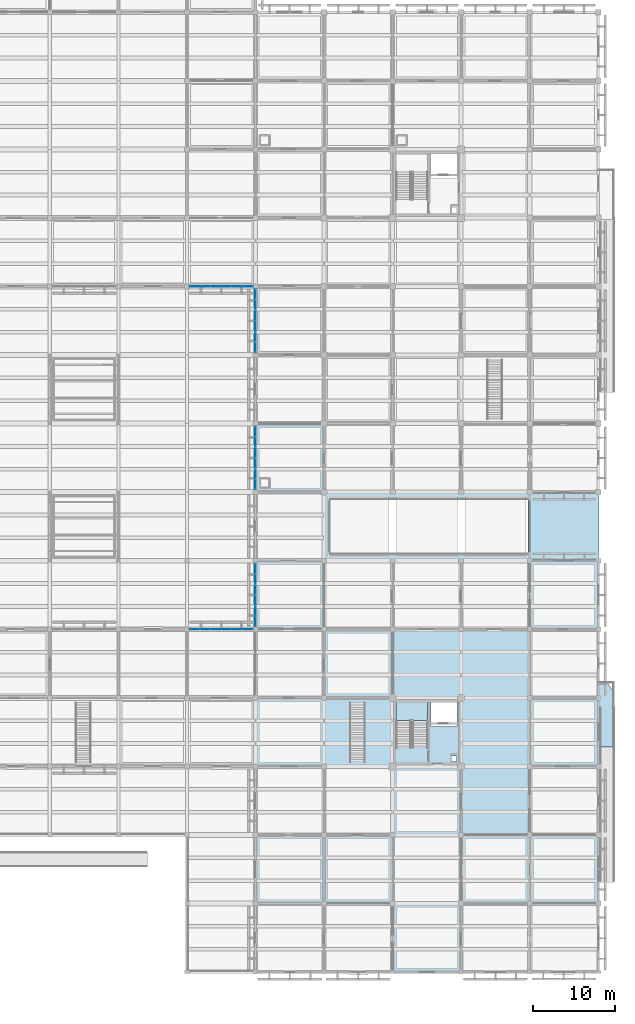
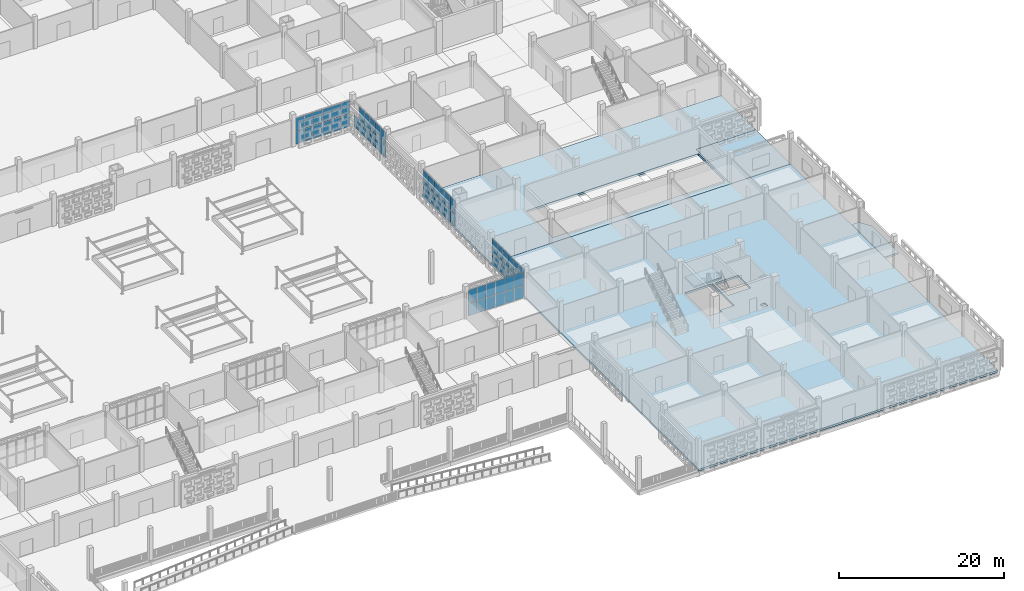
# One storey, part 51 of 129: 59 plates, 5 slabs, 6 elements without a shape of their own.
"""IFC4 building model written with IfcOpenShell, lengths in metres."""

from ifc_helpers import new_model, si_unit, direction, frame, origin, origin_2d, place, context, subcontext, project, spatial, polyline, rectangle, outline, extrude, material, layer, layer_set, type_object, element, aggregate, save


model = new_model("IFC4")

# Units and contexts
model_context = context("Model", 3, precision=1e-05, world=origin(), true_north=direction((0.0, 1.0)))
body_context = subcontext(model_context, "Body", "Model", "MODEL_VIEW")
ifc_project = project(units=[si_unit("LENGTHUNIT", "METRE"), si_unit("AREAUNIT", "SQUARE_METRE"), si_unit("VOLUMEUNIT", "CUBIC_METRE"), si_unit("PLANEANGLEUNIT", "RADIAN"), si_unit("MASSUNIT", "GRAM", prefix="KILO")], contexts=[model_context])

# Site, building, storey
site_placement = place(None, origin())
site = spatial("IfcSite", under=ifc_project, at=site_placement, CompositionType="ELEMENT")
building_placement = place(site_placement, origin())
building = spatial("IfcBuilding", under=site, at=building_placement, Name="Varnapada Polytechnic", CompositionType="ELEMENT")
storey_placement = place(building_placement, origin())
storey = spatial("IfcBuildingStorey", under=building, at=storey_placement, Name="L00", CompositionType="ELEMENT", Elevation=0.0)

# Curtain wall, plates
ifc_material_1 = material(Name="Double low-E laminated glass", Category="glass")
ifc_layer_1 = layer(ifc_material_1, 0.159912109375)
ifc_layer_set_1 = layer_set([ifc_layer_1], Name="Double low-E laminated glass")
curtain_wall_type = type_object("IfcCurtainWallType", Name="Curtain Wall CW-01", PredefinedType="NOTDEFINED", material=ifc_layer_set_1)
curtain_wall_1_placement = place(storey_placement, origin())
curtain_wall_1 = element("IfcCurtainWall", 1, at=curtain_wall_1_placement, inside=storey, type_object=curtain_wall_type, Name="L00 unitised curtain wall CW-01 (14)", PredefinedType="NOTDEFINED")
ifc_layer_2 = layer(ifc_material_1, 0.028076171875)
ifc_layer_set_2 = layer_set([ifc_layer_2], Name="Double low-E laminated glass")
plate_type = type_object("IfcPlateType", Name="Curtain Panel PNL-01", PredefinedType="CURTAIN_PANEL", material=ifc_layer_set_2)
plate_1_placement = place(storey_placement, frame((126.965087890625, 42.0, 0.06005859375), z_axis=(0.0, 0.0, 1.0), x_axis=(1.0, 0.0, 0.0)))
plate_1 = element("IfcPlate", 2, at=plate_1_placement, type_object=plate_type, Name="CW-01 panel 1.1", PredefinedType="CURTAIN_PANEL", context=body_context, shape_type="SweptSolid", body=[
    extrude(rectangle(XDim=1.2099609375, YDim=0.028076171875, at=origin_2d()), origin(), (0.0, 0.0, 1.0), 1.810791015625),
])
plate_2_placement = place(storey_placement, frame((126.965087890625, 42.0, 1.9306640625), z_axis=(0.0, 0.0, 1.0), x_axis=(1.0, 0.0, 0.0)))
plate_2 = element("IfcPlate", 3, at=plate_2_placement, type_object=plate_type, Name="CW-01 panel 1.2", PredefinedType="CURTAIN_PANEL", context=body_context, shape_type="SweptSolid", body=[
    extrude(rectangle(XDim=1.2099609375, YDim=0.028076171875, at=origin_2d()), origin(), (0.0, 0.0, 1.0), 1.96923828125),
])
plate_3_placement = place(storey_placement, frame((128.25, 42.0, 0.06005859375), z_axis=(0.0, 0.0, 1.0), x_axis=(1.0, 0.0, 0.0)))
plate_3 = element("IfcPlate", 4, at=plate_3_placement, type_object=plate_type, Name="CW-01 panel 2.1", PredefinedType="CURTAIN_PANEL", context=body_context, shape_type="SweptSolid", body=[
    extrude(rectangle(XDim=1.239990234375, YDim=0.028076171875, at=origin_2d()), origin(), (0.0, 0.0, 1.0), 1.810791015625),
])
plate_4_placement = place(storey_placement, frame((128.25, 42.0, 1.9306640625), z_axis=(0.0, 0.0, 1.0), x_axis=(1.0, 0.0, 0.0)))
plate_4 = element("IfcPlate", 5, at=plate_4_placement, type_object=plate_type, Name="CW-01 panel 2.2", PredefinedType="CURTAIN_PANEL", context=body_context, shape_type="SweptSolid", body=[
    extrude(rectangle(XDim=1.239990234375, YDim=0.028076171875, at=origin_2d()), origin(), (0.0, 0.0, 1.0), 1.96923828125),
])
plate_5_placement = place(storey_placement, frame((129.550048828125, 42.0, 0.06005859375), z_axis=(0.0, 0.0, 1.0), x_axis=(1.0, 0.0, 0.0)))
plate_5 = element("IfcPlate", 6, at=plate_5_placement, type_object=plate_type, Name="CW-01 panel 3.1", PredefinedType="CURTAIN_PANEL", context=body_context, shape_type="SweptSolid", body=[
    extrude(rectangle(XDim=1.239990234375, YDim=0.028076171875, at=origin_2d()), origin(), (0.0, 0.0, 1.0), 1.810791015625),
])
plate_6_placement = place(storey_placement, frame((129.550048828125, 42.0, 1.9306640625), z_axis=(0.0, 0.0, 1.0), x_axis=(1.0, 0.0, 0.0)))
plate_6 = element("IfcPlate", 7, at=plate_6_placement, type_object=plate_type, Name="CW-01 panel 3.2", PredefinedType="CURTAIN_PANEL", context=body_context, shape_type="SweptSolid", body=[
    extrude(rectangle(XDim=1.239990234375, YDim=0.028076171875, at=origin_2d()), origin(), (0.0, 0.0, 1.0), 1.96923828125),
])
plate_7_placement = place(storey_placement, frame((130.85009765625, 42.0, 0.06005859375), z_axis=(0.0, 0.0, 1.0), x_axis=(1.0, 0.0, 0.0)))
plate_7 = element("IfcPlate", 8, at=plate_7_placement, type_object=plate_type, Name="CW-01 panel 4.1", PredefinedType="CURTAIN_PANEL", context=body_context, shape_type="SweptSolid", body=[
    extrude(rectangle(XDim=1.239990234375, YDim=0.028076171875, at=origin_2d()), origin(), (0.0, 0.0, 1.0), 1.810791015625),
])
plate_8_placement = place(storey_placement, frame((130.85009765625, 42.0, 1.9306640625), z_axis=(0.0, 0.0, 1.0), x_axis=(1.0, 0.0, 0.0)))
plate_8 = element("IfcPlate", 9, at=plate_8_placement, type_object=plate_type, Name="CW-01 panel 4.2", PredefinedType="CURTAIN_PANEL", context=body_context, shape_type="SweptSolid", body=[
    extrude(rectangle(XDim=1.239990234375, YDim=0.028076171875, at=origin_2d()), origin(), (0.0, 0.0, 1.0), 1.96923828125),
])
plate_9_placement = place(storey_placement, frame((132.14990234375, 42.0, 0.06005859375), z_axis=(0.0, 0.0, 1.0), x_axis=(1.0, 0.0, 0.0)))
plate_9 = element("IfcPlate", 10, at=plate_9_placement, type_object=plate_type, Name="CW-01 panel 5.1", PredefinedType="CURTAIN_PANEL", context=body_context, shape_type="SweptSolid", body=[
    extrude(rectangle(XDim=1.239990234375, YDim=0.028076171875, at=origin_2d()), origin(), (0.0, 0.0, 1.0), 1.810791015625),
])
plate_10_placement = place(storey_placement, frame((132.14990234375, 42.0, 1.9306640625), z_axis=(0.0, 0.0, 1.0), x_axis=(1.0, 0.0, 0.0)))
plate_10 = element("IfcPlate", 11, at=plate_10_placement, type_object=plate_type, Name="CW-01 panel 5.2", PredefinedType="CURTAIN_PANEL", context=body_context, shape_type="SweptSolid", body=[
    extrude(rectangle(XDim=1.239990234375, YDim=0.028076171875, at=origin_2d()), origin(), (0.0, 0.0, 1.0), 1.96923828125),
])
plate_11_placement = place(storey_placement, frame((133.43505859375, 42.0, 0.06005859375), z_axis=(0.0, 0.0, 1.0), x_axis=(1.0, 0.0, 0.0)))
plate_11 = element("IfcPlate", 12, at=plate_11_placement, type_object=plate_type, Name="CW-01 panel 6.1", PredefinedType="CURTAIN_PANEL", context=body_context, shape_type="SweptSolid", body=[
    extrude(rectangle(XDim=1.2099609375, YDim=0.028076171875, at=origin_2d()), origin(), (0.0, 0.0, 1.0), 1.810791015625),
])
plate_12_placement = place(storey_placement, frame((133.43505859375, 42.0, 1.9306640625), z_axis=(0.0, 0.0, 1.0), x_axis=(1.0, 0.0, 0.0)))
plate_12 = element("IfcPlate", 13, at=plate_12_placement, type_object=plate_type, Name="CW-01 panel 6.2", PredefinedType="CURTAIN_PANEL", context=body_context, shape_type="SweptSolid", body=[
    extrude(rectangle(XDim=1.2099609375, YDim=0.028076171875, at=origin_2d()), origin(), (0.0, 0.0, 1.0), 1.96923828125),
])
aggregate(curtain_wall_1, [plate_1, plate_2, plate_3, plate_4, plate_5, plate_6, plate_7, plate_8, plate_9, plate_10, plate_11, plate_12])

curtain_wall_2_placement = place(storey_placement, origin())
curtain_wall_2 = element("IfcCurtainWall", 14, at=curtain_wall_2_placement, inside=storey, type_object=curtain_wall_type, Name="L00 unitised curtain wall CW-01 (15)", PredefinedType="NOTDEFINED")
plate_13_placement = place(storey_placement, frame((133.43505859375, 84.0, 0.06005859375), z_axis=(0.0, 0.0, 1.0), x_axis=(-1.0, 0.0, 0.0)))
plate_13 = element("IfcPlate", 15, at=plate_13_placement, type_object=plate_type, Name="CW-01 panel 1.1", PredefinedType="CURTAIN_PANEL", context=body_context, shape_type="SweptSolid", body=[
    extrude(rectangle(XDim=1.2099609375, YDim=0.028076171875, at=origin_2d()), origin(), (0.0, 0.0, 1.0), 1.810791015625),
])
plate_14_placement = place(storey_placement, frame((133.43505859375, 84.0, 1.9306640625), z_axis=(0.0, 0.0, 1.0), x_axis=(-1.0, 0.0, 0.0)))
plate_14 = element("IfcPlate", 16, at=plate_14_placement, type_object=plate_type, Name="CW-01 panel 1.2", PredefinedType="CURTAIN_PANEL", context=body_context, shape_type="SweptSolid", body=[
    extrude(rectangle(XDim=1.2099609375, YDim=0.028076171875, at=origin_2d()), origin(), (0.0, 0.0, 1.0), 1.96923828125),
])
plate_15_placement = place(storey_placement, frame((132.14990234375, 84.0, 0.06005859375), z_axis=(0.0, 0.0, 1.0), x_axis=(-1.0, 0.0, 0.0)))
plate_15 = element("IfcPlate", 17, at=plate_15_placement, type_object=plate_type, Name="CW-01 panel 2.1", PredefinedType="CURTAIN_PANEL", context=body_context, shape_type="SweptSolid", body=[
    extrude(rectangle(XDim=1.239990234375, YDim=0.028076171875, at=origin_2d()), origin(), (0.0, 0.0, 1.0), 1.810791015625),
])
plate_16_placement = place(storey_placement, frame((132.14990234375, 84.0, 1.9306640625), z_axis=(0.0, 0.0, 1.0), x_axis=(-1.0, 0.0, 0.0)))
plate_16 = element("IfcPlate", 18, at=plate_16_placement, type_object=plate_type, Name="CW-01 panel 2.2", PredefinedType="CURTAIN_PANEL", context=body_context, shape_type="SweptSolid", body=[
    extrude(rectangle(XDim=1.239990234375, YDim=0.028076171875, at=origin_2d()), origin(), (0.0, 0.0, 1.0), 1.96923828125),
])
plate_17_placement = place(storey_placement, frame((130.85009765625, 84.0, 0.06005859375), z_axis=(0.0, 0.0, 1.0), x_axis=(-1.0, 0.0, 0.0)))
plate_17 = element("IfcPlate", 19, at=plate_17_placement, type_object=plate_type, Name="CW-01 panel 3.1", PredefinedType="CURTAIN_PANEL", context=body_context, shape_type="SweptSolid", body=[
    extrude(rectangle(XDim=1.239990234375, YDim=0.028076171875, at=origin_2d()), origin(), (0.0, 0.0, 1.0), 1.810791015625),
])
plate_18_placement = place(storey_placement, frame((130.85009765625, 84.0, 1.9306640625), z_axis=(0.0, 0.0, 1.0), x_axis=(-1.0, 0.0, 0.0)))
plate_18 = element("IfcPlate", 20, at=plate_18_placement, type_object=plate_type, Name="CW-01 panel 3.2", PredefinedType="CURTAIN_PANEL", context=body_context, shape_type="SweptSolid", body=[
    extrude(rectangle(XDim=1.239990234375, YDim=0.028076171875, at=origin_2d()), origin(), (0.0, 0.0, 1.0), 1.96923828125),
])
plate_19_placement = place(storey_placement, frame((129.550048828125, 84.0, 0.06005859375), z_axis=(0.0, 0.0, 1.0), x_axis=(-1.0, 0.0, 0.0)))
plate_19 = element("IfcPlate", 21, at=plate_19_placement, type_object=plate_type, Name="CW-01 panel 4.1", PredefinedType="CURTAIN_PANEL", context=body_context, shape_type="SweptSolid", body=[
    extrude(rectangle(XDim=1.239990234375, YDim=0.028076171875, at=origin_2d()), origin(), (0.0, 0.0, 1.0), 1.810791015625),
])
plate_20_placement = place(storey_placement, frame((129.550048828125, 84.0, 1.9306640625), z_axis=(0.0, 0.0, 1.0), x_axis=(-1.0, 0.0, 0.0)))
plate_20 = element("IfcPlate", 22, at=plate_20_placement, type_object=plate_type, Name="CW-01 panel 4.2", PredefinedType="CURTAIN_PANEL", context=body_context, shape_type="SweptSolid", body=[
    extrude(rectangle(XDim=1.239990234375, YDim=0.028076171875, at=origin_2d()), origin(), (0.0, 0.0, 1.0), 1.96923828125),
])
plate_21_placement = place(storey_placement, frame((128.25, 84.0, 0.06005859375), z_axis=(0.0, 0.0, 1.0), x_axis=(-1.0, 0.0, 0.0)))
plate_21 = element("IfcPlate", 23, at=plate_21_placement, type_object=plate_type, Name="CW-01 panel 5.1", PredefinedType="CURTAIN_PANEL", context=body_context, shape_type="SweptSolid", body=[
    extrude(rectangle(XDim=1.239990234375, YDim=0.028076171875, at=origin_2d()), origin(), (0.0, 0.0, 1.0), 1.810791015625),
])
plate_22_placement = place(storey_placement, frame((128.25, 84.0, 1.9306640625), z_axis=(0.0, 0.0, 1.0), x_axis=(-1.0, 0.0, 0.0)))
plate_22 = element("IfcPlate", 24, at=plate_22_placement, type_object=plate_type, Name="CW-01 panel 5.2", PredefinedType="CURTAIN_PANEL", context=body_context, shape_type="SweptSolid", body=[
    extrude(rectangle(XDim=1.239990234375, YDim=0.028076171875, at=origin_2d()), origin(), (0.0, 0.0, 1.0), 1.96923828125),
])
plate_23_placement = place(storey_placement, frame((126.965087890625, 84.0, 0.06005859375), z_axis=(0.0, 0.0, 1.0), x_axis=(-1.0, 0.0, 0.0)))
plate_23 = element("IfcPlate", 25, at=plate_23_placement, type_object=plate_type, Name="CW-01 panel 6.1", PredefinedType="CURTAIN_PANEL", context=body_context, shape_type="SweptSolid", body=[
    extrude(rectangle(XDim=1.2099609375, YDim=0.028076171875, at=origin_2d()), origin(), (0.0, 0.0, 1.0), 1.810791015625),
])
plate_24_placement = place(storey_placement, frame((126.965087890625, 84.0, 1.9306640625), z_axis=(0.0, 0.0, 1.0), x_axis=(-1.0, 0.0, 0.0)))
plate_24 = element("IfcPlate", 26, at=plate_24_placement, type_object=plate_type, Name="CW-01 panel 6.2", PredefinedType="CURTAIN_PANEL", context=body_context, shape_type="SweptSolid", body=[
    extrude(rectangle(XDim=1.2099609375, YDim=0.028076171875, at=origin_2d()), origin(), (0.0, 0.0, 1.0), 1.96923828125),
])
aggregate(curtain_wall_2, [plate_13, plate_14, plate_15, plate_16, plate_17, plate_18, plate_19, plate_20, plate_21, plate_22, plate_23, plate_24])

curtain_wall_3_placement = place(storey_placement, origin())
curtain_wall_3 = element("IfcCurtainWall", 27, at=curtain_wall_3_placement, inside=storey, type_object=curtain_wall_type, Name="L00 unitised curtain wall CW-01 (16)", PredefinedType="NOTDEFINED")
plate_25_placement = place(storey_placement, frame((134.39990234375, 42.965087890625, 0.06005859375), z_axis=(0.0, 0.0, 1.0), x_axis=(0.0, 1.0, 0.0)))
plate_25 = element("IfcPlate", 28, at=plate_25_placement, type_object=plate_type, Name="CW-01 panel 1.1", PredefinedType="CURTAIN_PANEL", context=body_context, shape_type="SweptSolid", body=[
    extrude(rectangle(XDim=1.2099609375, YDim=0.028076171875, at=origin_2d()), origin(), (0.0, 0.0, 1.0), 1.810791015625),
])
plate_26_placement = place(storey_placement, frame((134.39990234375, 42.965087890625, 1.9306640625), z_axis=(0.0, 0.0, 1.0), x_axis=(0.0, 1.0, 0.0)))
plate_26 = element("IfcPlate", 29, at=plate_26_placement, type_object=plate_type, Name="CW-01 panel 1.2", PredefinedType="CURTAIN_PANEL", context=body_context, shape_type="SweptSolid", body=[
    extrude(rectangle(XDim=1.2099609375, YDim=0.028076171875, at=origin_2d()), origin(), (0.0, 0.0, 1.0), 1.96923828125),
])
plate_27_placement = place(storey_placement, frame((134.39990234375, 44.25, 0.06005859375), z_axis=(0.0, 0.0, 1.0), x_axis=(0.0, 1.0, 0.0)))
plate_27 = element("IfcPlate", 30, at=plate_27_placement, type_object=plate_type, Name="CW-01 panel 2.1", PredefinedType="CURTAIN_PANEL", context=body_context, shape_type="SweptSolid", body=[
    extrude(rectangle(XDim=1.239990234375, YDim=0.028076171875, at=origin_2d()), origin(), (0.0, 0.0, 1.0), 1.810791015625),
])
plate_28_placement = place(storey_placement, frame((134.39990234375, 44.25, 1.9306640625), z_axis=(0.0, 0.0, 1.0), x_axis=(0.0, 1.0, 0.0)))
plate_28 = element("IfcPlate", 31, at=plate_28_placement, type_object=plate_type, Name="CW-01 panel 2.2", PredefinedType="CURTAIN_PANEL", context=body_context, shape_type="SweptSolid", body=[
    extrude(rectangle(XDim=1.239990234375, YDim=0.028076171875, at=origin_2d()), origin(), (0.0, 0.0, 1.0), 1.96923828125),
])
plate_29_placement = place(storey_placement, frame((134.39990234375, 45.550048828125, 0.06005859375), z_axis=(0.0, 0.0, 1.0), x_axis=(0.0, 1.0, 0.0)))
plate_29 = element("IfcPlate", 32, at=plate_29_placement, type_object=plate_type, Name="CW-01 panel 3.1", PredefinedType="CURTAIN_PANEL", context=body_context, shape_type="SweptSolid", body=[
    extrude(rectangle(XDim=1.239990234375, YDim=0.028076171875, at=origin_2d()), origin(), (0.0, 0.0, 1.0), 1.810791015625),
])
plate_30_placement = place(storey_placement, frame((134.39990234375, 45.550048828125, 1.9306640625), z_axis=(0.0, 0.0, 1.0), x_axis=(0.0, 1.0, 0.0)))
plate_30 = element("IfcPlate", 33, at=plate_30_placement, type_object=plate_type, Name="CW-01 panel 3.2", PredefinedType="CURTAIN_PANEL", context=body_context, shape_type="SweptSolid", body=[
    extrude(rectangle(XDim=1.239990234375, YDim=0.028076171875, at=origin_2d()), origin(), (0.0, 0.0, 1.0), 1.96923828125),
])
plate_31_placement = place(storey_placement, frame((134.39990234375, 46.85009765625, 0.06005859375), z_axis=(0.0, 0.0, 1.0), x_axis=(0.0, 1.0, 0.0)))
plate_31 = element("IfcPlate", 34, at=plate_31_placement, type_object=plate_type, Name="CW-01 panel 4.1", PredefinedType="CURTAIN_PANEL", context=body_context, shape_type="SweptSolid", body=[
    extrude(rectangle(XDim=1.239990234375, YDim=0.028076171875, at=origin_2d()), origin(), (0.0, 0.0, 1.0), 1.810791015625),
])
plate_32_placement = place(storey_placement, frame((134.39990234375, 46.85009765625, 1.9306640625), z_axis=(0.0, 0.0, 1.0), x_axis=(0.0, 1.0, 0.0)))
plate_32 = element("IfcPlate", 35, at=plate_32_placement, type_object=plate_type, Name="CW-01 panel 4.2", PredefinedType="CURTAIN_PANEL", context=body_context, shape_type="SweptSolid", body=[
    extrude(rectangle(XDim=1.239990234375, YDim=0.028076171875, at=origin_2d()), origin(), (0.0, 0.0, 1.0), 1.96923828125),
])
plate_33_placement = place(storey_placement, frame((134.39990234375, 48.14990234375, 0.06005859375), z_axis=(0.0, 0.0, 1.0), x_axis=(0.0, 1.0, 0.0)))
plate_33 = element("IfcPlate", 36, at=plate_33_placement, type_object=plate_type, Name="CW-01 panel 5.1", PredefinedType="CURTAIN_PANEL", context=body_context, shape_type="SweptSolid", body=[
    extrude(rectangle(XDim=1.239990234375, YDim=0.028076171875, at=origin_2d()), origin(), (0.0, 0.0, 1.0), 1.810791015625),
])
plate_34_placement = place(storey_placement, frame((134.39990234375, 48.14990234375, 1.9306640625), z_axis=(0.0, 0.0, 1.0), x_axis=(0.0, 1.0, 0.0)))
plate_34 = element("IfcPlate", 37, at=plate_34_placement, type_object=plate_type, Name="CW-01 panel 5.2", PredefinedType="CURTAIN_PANEL", context=body_context, shape_type="SweptSolid", body=[
    extrude(rectangle(XDim=1.239990234375, YDim=0.028076171875, at=origin_2d()), origin(), (0.0, 0.0, 1.0), 1.96923828125),
])
plate_35_placement = place(storey_placement, frame((134.39990234375, 49.43505859375, 0.06005859375), z_axis=(0.0, 0.0, 1.0), x_axis=(0.0, 1.0, 0.0)))
plate_35 = element("IfcPlate", 38, at=plate_35_placement, type_object=plate_type, Name="CW-01 panel 6.1", PredefinedType="CURTAIN_PANEL", context=body_context, shape_type="SweptSolid", body=[
    extrude(rectangle(XDim=1.2099609375, YDim=0.028076171875, at=origin_2d()), origin(), (0.0, 0.0, 1.0), 1.810791015625),
])
plate_36_placement = place(storey_placement, frame((134.39990234375, 49.43505859375, 1.9306640625), z_axis=(0.0, 0.0, 1.0), x_axis=(0.0, 1.0, 0.0)))
plate_36 = element("IfcPlate", 39, at=plate_36_placement, type_object=plate_type, Name="CW-01 panel 6.2", PredefinedType="CURTAIN_PANEL", context=body_context, shape_type="SweptSolid", body=[
    extrude(rectangle(XDim=1.2099609375, YDim=0.028076171875, at=origin_2d()), origin(), (0.0, 0.0, 1.0), 1.96923828125),
])
aggregate(curtain_wall_3, [plate_25, plate_26, plate_27, plate_28, plate_29, plate_30, plate_31, plate_32, plate_33, plate_34, plate_35, plate_36])

curtain_wall_4_placement = place(storey_placement, origin())
curtain_wall_4 = element("IfcCurtainWall", 40, at=curtain_wall_4_placement, inside=storey, type_object=curtain_wall_type, Name="L00 unitised curtain wall CW-01 (17)", PredefinedType="NOTDEFINED")
plate_37_placement = place(storey_placement, frame((134.39990234375, 59.764892578125, 0.06005859375), z_axis=(0.0, 0.0, 1.0), x_axis=(0.0, 1.0, 0.0)))
plate_37 = element("IfcPlate", 41, at=plate_37_placement, type_object=plate_type, Name="CW-01 panel 1.1", PredefinedType="CURTAIN_PANEL", context=body_context, shape_type="SweptSolid", body=[
    extrude(rectangle(XDim=1.2099609375, YDim=0.028076171875, at=origin_2d()), origin(), (0.0, 0.0, 1.0), 1.810791015625),
])
plate_38_placement = place(storey_placement, frame((134.39990234375, 59.764892578125, 1.9306640625), z_axis=(0.0, 0.0, 1.0), x_axis=(0.0, 1.0, 0.0)))
plate_38 = element("IfcPlate", 42, at=plate_38_placement, type_object=plate_type, Name="CW-01 panel 1.2", PredefinedType="CURTAIN_PANEL", context=body_context, shape_type="SweptSolid", body=[
    extrude(rectangle(XDim=1.2099609375, YDim=0.028076171875, at=origin_2d()), origin(), (0.0, 0.0, 1.0), 1.96923828125),
])
plate_39_placement = place(storey_placement, frame((134.39990234375, 61.050048828125, 0.06005859375), z_axis=(0.0, 0.0, 1.0), x_axis=(0.0, 1.0, 0.0)))
plate_39 = element("IfcPlate", 43, at=plate_39_placement, type_object=plate_type, Name="CW-01 panel 2.1", PredefinedType="CURTAIN_PANEL", context=body_context, shape_type="SweptSolid", body=[
    extrude(rectangle(XDim=1.239990234375, YDim=0.028076171875, at=origin_2d()), origin(), (0.0, 0.0, 1.0), 1.810791015625),
])
plate_40_placement = place(storey_placement, frame((134.39990234375, 61.050048828125, 1.9306640625), z_axis=(0.0, 0.0, 1.0), x_axis=(0.0, 1.0, 0.0)))
plate_40 = element("IfcPlate", 44, at=plate_40_placement, type_object=plate_type, Name="CW-01 panel 2.2", PredefinedType="CURTAIN_PANEL", context=body_context, shape_type="SweptSolid", body=[
    extrude(rectangle(XDim=1.239990234375, YDim=0.028076171875, at=origin_2d()), origin(), (0.0, 0.0, 1.0), 1.96923828125),
])
plate_41_placement = place(storey_placement, frame((134.39990234375, 62.35009765625, 0.06005859375), z_axis=(0.0, 0.0, 1.0), x_axis=(0.0, 1.0, 0.0)))
plate_41 = element("IfcPlate", 45, at=plate_41_placement, type_object=plate_type, Name="CW-01 panel 3.1", PredefinedType="CURTAIN_PANEL", context=body_context, shape_type="SweptSolid", body=[
    extrude(rectangle(XDim=1.239990234375, YDim=0.028076171875, at=origin_2d()), origin(), (0.0, 0.0, 1.0), 1.810791015625),
])
plate_42_placement = place(storey_placement, frame((134.39990234375, 62.35009765625, 1.9306640625), z_axis=(0.0, 0.0, 1.0), x_axis=(0.0, 1.0, 0.0)))
plate_42 = element("IfcPlate", 46, at=plate_42_placement, type_object=plate_type, Name="CW-01 panel 3.2", PredefinedType="CURTAIN_PANEL", context=body_context, shape_type="SweptSolid", body=[
    extrude(rectangle(XDim=1.239990234375, YDim=0.028076171875, at=origin_2d()), origin(), (0.0, 0.0, 1.0), 1.96923828125),
])
plate_43_placement = place(storey_placement, frame((134.39990234375, 63.64990234375, 0.06005859375), z_axis=(0.0, 0.0, 1.0), x_axis=(0.0, 1.0, 0.0)))
plate_43 = element("IfcPlate", 47, at=plate_43_placement, type_object=plate_type, Name="CW-01 panel 4.1", PredefinedType="CURTAIN_PANEL", context=body_context, shape_type="SweptSolid", body=[
    extrude(rectangle(XDim=1.239990234375, YDim=0.028076171875, at=origin_2d()), origin(), (0.0, 0.0, 1.0), 1.810791015625),
])
plate_44_placement = place(storey_placement, frame((134.39990234375, 63.64990234375, 1.9306640625), z_axis=(0.0, 0.0, 1.0), x_axis=(0.0, 1.0, 0.0)))
plate_44 = element("IfcPlate", 48, at=plate_44_placement, type_object=plate_type, Name="CW-01 panel 4.2", PredefinedType="CURTAIN_PANEL", context=body_context, shape_type="SweptSolid", body=[
    extrude(rectangle(XDim=1.239990234375, YDim=0.028076171875, at=origin_2d()), origin(), (0.0, 0.0, 1.0), 1.96923828125),
])
plate_45_placement = place(storey_placement, frame((134.39990234375, 64.949951171875, 0.06005859375), z_axis=(0.0, 0.0, 1.0), x_axis=(0.0, 1.0, 0.0)))
plate_45 = element("IfcPlate", 49, at=plate_45_placement, type_object=plate_type, Name="CW-01 panel 5.1", PredefinedType="CURTAIN_PANEL", context=body_context, shape_type="SweptSolid", body=[
    extrude(rectangle(XDim=1.239990234375, YDim=0.028076171875, at=origin_2d()), origin(), (0.0, 0.0, 1.0), 1.810791015625),
])
plate_46_placement = place(storey_placement, frame((134.39990234375, 64.949951171875, 1.9306640625), z_axis=(0.0, 0.0, 1.0), x_axis=(0.0, 1.0, 0.0)))
plate_46 = element("IfcPlate", 50, at=plate_46_placement, type_object=plate_type, Name="CW-01 panel 5.2", PredefinedType="CURTAIN_PANEL", context=body_context, shape_type="SweptSolid", body=[
    extrude(rectangle(XDim=1.239990234375, YDim=0.028076171875, at=origin_2d()), origin(), (0.0, 0.0, 1.0), 1.96923828125),
])
plate_47_placement = place(storey_placement, frame((134.39990234375, 66.235107421875, 0.06005859375), z_axis=(0.0, 0.0, 1.0), x_axis=(0.0, 1.0, 0.0)))
plate_47 = element("IfcPlate", 51, at=plate_47_placement, type_object=plate_type, Name="CW-01 panel 6.1", PredefinedType="CURTAIN_PANEL", context=body_context, shape_type="SweptSolid", body=[
    extrude(rectangle(XDim=1.2099609375, YDim=0.028076171875, at=origin_2d()), origin(), (0.0, 0.0, 1.0), 1.810791015625),
])
plate_48_placement = place(storey_placement, frame((134.39990234375, 66.235107421875, 1.9306640625), z_axis=(0.0, 0.0, 1.0), x_axis=(0.0, 1.0, 0.0)))
plate_48 = element("IfcPlate", 52, at=plate_48_placement, type_object=plate_type, Name="CW-01 panel 6.2", PredefinedType="CURTAIN_PANEL", context=body_context, shape_type="SweptSolid", body=[
    extrude(rectangle(XDim=1.2099609375, YDim=0.028076171875, at=origin_2d()), origin(), (0.0, 0.0, 1.0), 1.96923828125),
])
aggregate(curtain_wall_4, [plate_37, plate_38, plate_39, plate_40, plate_41, plate_42, plate_43, plate_44, plate_45, plate_46, plate_47, plate_48])

curtain_wall_5_placement = place(storey_placement, origin())
curtain_wall_5 = element("IfcCurtainWall", 53, at=curtain_wall_5_placement, inside=storey, type_object=curtain_wall_type, Name="L00 unitised curtain wall CW-01 (18)", PredefinedType="NOTDEFINED")
plate_49_placement = place(storey_placement, frame((134.39990234375, 76.56494140625, 0.06005859375), z_axis=(0.0, 0.0, 1.0), x_axis=(0.0, 1.0, 0.0)))
plate_49 = element("IfcPlate", 54, at=plate_49_placement, type_object=plate_type, Name="CW-01 panel 1.1", PredefinedType="CURTAIN_PANEL", context=body_context, shape_type="SweptSolid", body=[
    extrude(rectangle(XDim=1.2099609375, YDim=0.028076171875, at=origin_2d()), origin(), (0.0, 0.0, 1.0), 1.810791015625),
])
plate_50_placement = place(storey_placement, frame((134.39990234375, 76.56494140625, 1.9306640625), z_axis=(0.0, 0.0, 1.0), x_axis=(0.0, 1.0, 0.0)))
plate_50 = element("IfcPlate", 55, at=plate_50_placement, type_object=plate_type, Name="CW-01 panel 1.2", PredefinedType="CURTAIN_PANEL", context=body_context, shape_type="SweptSolid", body=[
    extrude(rectangle(XDim=1.2099609375, YDim=0.028076171875, at=origin_2d()), origin(), (0.0, 0.0, 1.0), 1.96923828125),
])
plate_51_placement = place(storey_placement, frame((134.39990234375, 77.85009765625, 0.06005859375), z_axis=(0.0, 0.0, 1.0), x_axis=(0.0, 1.0, 0.0)))
plate_51 = element("IfcPlate", 56, at=plate_51_placement, type_object=plate_type, Name="CW-01 panel 2.1", PredefinedType="CURTAIN_PANEL", context=body_context, shape_type="SweptSolid", body=[
    extrude(rectangle(XDim=1.239990234375, YDim=0.028076171875, at=origin_2d()), origin(), (0.0, 0.0, 1.0), 1.810791015625),
])
plate_52_placement = place(storey_placement, frame((134.39990234375, 77.85009765625, 1.9306640625), z_axis=(0.0, 0.0, 1.0), x_axis=(0.0, 1.0, 0.0)))
plate_52 = element("IfcPlate", 57, at=plate_52_placement, type_object=plate_type, Name="CW-01 panel 2.2", PredefinedType="CURTAIN_PANEL", context=body_context, shape_type="SweptSolid", body=[
    extrude(rectangle(XDim=1.239990234375, YDim=0.028076171875, at=origin_2d()), origin(), (0.0, 0.0, 1.0), 1.96923828125),
])
plate_53_placement = place(storey_placement, frame((134.39990234375, 79.14990234375, 0.06005859375), z_axis=(0.0, 0.0, 1.0), x_axis=(0.0, 1.0, 0.0)))
plate_53 = element("IfcPlate", 58, at=plate_53_placement, type_object=plate_type, Name="CW-01 panel 3.1", PredefinedType="CURTAIN_PANEL", context=body_context, shape_type="SweptSolid", body=[
    extrude(rectangle(XDim=1.239990234375, YDim=0.028076171875, at=origin_2d()), origin(), (0.0, 0.0, 1.0), 1.810791015625),
])
plate_54_placement = place(storey_placement, frame((134.39990234375, 79.14990234375, 1.9306640625), z_axis=(0.0, 0.0, 1.0), x_axis=(0.0, 1.0, 0.0)))
plate_54 = element("IfcPlate", 59, at=plate_54_placement, type_object=plate_type, Name="CW-01 panel 3.2", PredefinedType="CURTAIN_PANEL", context=body_context, shape_type="SweptSolid", body=[
    extrude(rectangle(XDim=1.239990234375, YDim=0.028076171875, at=origin_2d()), origin(), (0.0, 0.0, 1.0), 1.96923828125),
])
plate_55_placement = place(storey_placement, frame((134.39990234375, 80.449951171875, 0.06005859375), z_axis=(0.0, 0.0, 1.0), x_axis=(0.0, 1.0, 0.0)))
plate_55 = element("IfcPlate", 60, at=plate_55_placement, type_object=plate_type, Name="CW-01 panel 4.1", PredefinedType="CURTAIN_PANEL", context=body_context, shape_type="SweptSolid", body=[
    extrude(rectangle(XDim=1.239990234375, YDim=0.028076171875, at=origin_2d()), origin(), (0.0, 0.0, 1.0), 1.810791015625),
])
plate_56_placement = place(storey_placement, frame((134.39990234375, 80.449951171875, 1.9306640625), z_axis=(0.0, 0.0, 1.0), x_axis=(0.0, 1.0, 0.0)))
plate_56 = element("IfcPlate", 61, at=plate_56_placement, type_object=plate_type, Name="CW-01 panel 4.2", PredefinedType="CURTAIN_PANEL", context=body_context, shape_type="SweptSolid", body=[
    extrude(rectangle(XDim=1.239990234375, YDim=0.028076171875, at=origin_2d()), origin(), (0.0, 0.0, 1.0), 1.96923828125),
])
plate_57_placement = place(storey_placement, frame((134.39990234375, 81.75, 0.06005859375), z_axis=(0.0, 0.0, 1.0), x_axis=(0.0, 1.0, 0.0)))
plate_57 = element("IfcPlate", 62, at=plate_57_placement, type_object=plate_type, Name="CW-01 panel 5.1", PredefinedType="CURTAIN_PANEL", context=body_context, shape_type="SweptSolid", body=[
    extrude(rectangle(XDim=1.239990234375, YDim=0.028076171875, at=origin_2d()), origin(), (0.0, 0.0, 1.0), 1.810791015625),
])
plate_58_placement = place(storey_placement, frame((134.39990234375, 81.75, 1.9306640625), z_axis=(0.0, 0.0, 1.0), x_axis=(0.0, 1.0, 0.0)))
plate_58 = element("IfcPlate", 63, at=plate_58_placement, type_object=plate_type, Name="CW-01 panel 5.2", PredefinedType="CURTAIN_PANEL", context=body_context, shape_type="SweptSolid", body=[
    extrude(rectangle(XDim=1.239990234375, YDim=0.028076171875, at=origin_2d()), origin(), (0.0, 0.0, 1.0), 1.96923828125),
])
plate_59_placement = place(storey_placement, frame((134.39990234375, 83.034912109375, 0.06005859375), z_axis=(0.0, 0.0, 1.0), x_axis=(0.0, 1.0, 0.0)))
plate_59 = element("IfcPlate", 64, at=plate_59_placement, type_object=plate_type, Name="CW-01 panel 6.1", PredefinedType="CURTAIN_PANEL", context=body_context, shape_type="SweptSolid", body=[
    extrude(rectangle(XDim=1.2099609375, YDim=0.028076171875, at=origin_2d()), origin(), (0.0, 0.0, 1.0), 1.810791015625),
])
aggregate(curtain_wall_5, [plate_49, plate_50, plate_51, plate_52, plate_53, plate_54, plate_55, plate_56, plate_57, plate_58, plate_59])

# Slabs
ifc_material_2 = material(Name="Concrete C40/50", Category="concrete")
ifc_layer_3 = layer(ifc_material_2, 0.280029296875)
ifc_layer_set_3 = layer_set([ifc_layer_3], Name="Concrete C40/50")
slab_type_1 = type_object("IfcSlabType", Name="L00 exterior colonnade and portico deck SL-03", PredefinedType="FLOOR", material=ifc_layer_set_3)
slab_1_placement = place(storey_placement, frame((0.0, 0.0, -0.280029296875)))
element("IfcSlab", 65, at=slab_1_placement, inside=storey, type_object=slab_type_1, Name="L00 ramp E1 arrival landing slab", PredefinedType="FLOOR", context=body_context, shape_type="SweptSolid", body=[
    extrude(outline(polyline([(176.39990234375, 27.60009765625), (178.39990234375, 27.60009765625), (178.39990234375, 34.10009765625), (177.39990234375, 35.60009765625), (176.39990234375, 35.60009765625), (176.39990234375, 27.60009765625)])), origin(), (0.0, 0.0, 1.0), 0.280029296875),
])
slab_2_placement = place(storey_placement, frame((0.0, 0.0, -0.280029296875)))
element("IfcSlab", 66, at=slab_2_placement, inside=storey, type_object=slab_type_1, Name="L00 ramp VEH-APRON arrival landing slab", PredefinedType="FLOOR", context=body_context, shape_type="SweptSolid", body=[
    extrude(outline(polyline([(168.0, 50.39990234375), (176.39990234375, 50.39990234375), (176.39990234375, 58.800048828125), (168.0, 58.800048828125), (168.0, 50.39990234375)])), origin(), (0.0, 0.0, 1.0), 0.280029296875),
])
ifc_layer_4 = layer(ifc_material_2, 0.300048828125)
ifc_layer_set_4 = layer_set([ifc_layer_4], Name="Concrete C40/50")
slab_type_2 = type_object("IfcSlabType", Name="L00 interior flood-resilient podium slab SL-01", PredefinedType="FLOOR", material=ifc_layer_set_4)
slab_3_placement = place(storey_placement, frame((0.0, 0.0, -0.300048828125)))
element("IfcSlab", 67, at=slab_3_placement, inside=storey, type_object=slab_type_2, Name="L00 V3 slab 1.1", PredefinedType="FLOOR", context=body_context, shape_type="SweptSolid", body=[
    extrude(outline(polyline([(134.39990234375, 25.199951171875), (134.39990234375, 33.60009765625), (134.39990234375, 42.0), (134.39990234375, 50.39990234375), (142.800048828125, 50.39990234375), (151.199951171875, 50.39990234375), (159.60009765625, 50.39990234375), (168.0, 50.39990234375), (176.39990234375, 50.39990234375), (176.39990234375, 42.0), (176.39990234375, 33.60009765625), (176.39990234375, 25.199951171875), (176.39990234375, 16.800048828125), (176.39990234375, 8.39990234375), (176.39990234375, 0.0), (168.0, 0.0), (159.60009765625, 0.0), (151.199951171875, 0.0), (142.800048828125, 0.0), (134.39990234375, 0.0), (134.39990234375, 8.39990234375), (134.39990234375, 16.800048828125), (134.39990234375, 25.199951171875)]), holes=[polyline([(151.60009765625, 27.510009765625), (153.550048828125, 27.510009765625), (153.550048828125, 27.909912109375), (155.5, 27.909912109375), (155.5, 33.199951171875), (151.60009765625, 33.199951171875), (151.60009765625, 27.510009765625)]), polyline([(155.89990234375, 30.10009765625), (159.10009765625, 30.10009765625), (159.10009765625, 33.14990234375), (155.89990234375, 33.14990234375), (155.89990234375, 30.10009765625)]), polyline([(158.35009765625, 25.820068359375), (159.0, 25.820068359375), (159.0, 26.469970703125), (158.35009765625, 26.469970703125), (158.35009765625, 25.820068359375)])]), origin(), (0.0, 0.0, 1.0), 0.300048828125),
])
slab_4_placement = place(storey_placement, frame((0.0, 0.0, -0.300048828125)))
element("IfcSlab", 68, at=slab_4_placement, inside=storey, type_object=slab_type_2, Name="L00 V5 slab 4.1", PredefinedType="FLOOR", context=body_context, shape_type="SweptSolid", body=[
    extrude(outline(polyline([(168.0, 50.39990234375), (159.60009765625, 50.39990234375), (151.199951171875, 50.39990234375), (142.800048828125, 50.39990234375), (134.39990234375, 50.39990234375), (134.39990234375, 58.800048828125), (134.39990234375, 67.199951171875), (142.800048828125, 67.199951171875), (151.199951171875, 67.199951171875), (159.60009765625, 67.199951171875), (168.0, 67.199951171875), (176.39990234375, 67.199951171875), (176.39990234375, 58.800048828125), (168.0, 58.800048828125), (168.0, 50.39990234375)]), holes=[polyline([(143.60009765625, 51.35009765625), (167.800048828125, 51.35009765625), (167.800048828125, 57.85009765625), (143.60009765625, 57.85009765625), (143.60009765625, 51.35009765625)])]), origin(), (0.0, 0.0, 1.0), 0.300048828125),
])

# Stair, slab
stair_type = type_object("IfcStairType", Name="Core Exit Stair ST-B", PredefinedType="HALF_TURN_STAIR", material=ifc_material_2)
stair_placement = place(storey_placement, origin())
stair = element("IfcStair", 69, at=stair_placement, inside=storey, type_object=stair_type, Name="L00 Core C6 Exit Stair", PredefinedType="HALF_TURN_STAIR")
ifc_layer_5 = layer(ifc_material_2, 0.219970703125)
ifc_layer_set_5 = layer_set([ifc_layer_5], Name="Concrete C40/50")
slab_type_3 = type_object("IfcSlabType", Name="Stair Half Landing SLD-02", PredefinedType="LANDING", material=ifc_layer_set_5)
slab_5_placement = place(storey_placement, frame((0.0, 0.0, 2.179931640625)))
slab_5 = element("IfcSlab", 70, at=slab_5_placement, type_object=slab_type_3, Name="ST-6 landing 1", PredefinedType="LANDING", context=body_context, shape_type="SweptSolid", body=[
    extrude(outline(polyline([(155.5, 30.81005859375), (155.5, 33.199951171875), (151.60009765625, 33.199951171875), (151.60009765625, 30.81005859375), (155.5, 30.81005859375)])), origin(), (0.0, 0.0, 1.0), 0.219970703125),
])
aggregate(stair, [slab_5])

save(model, "model.ifc")
